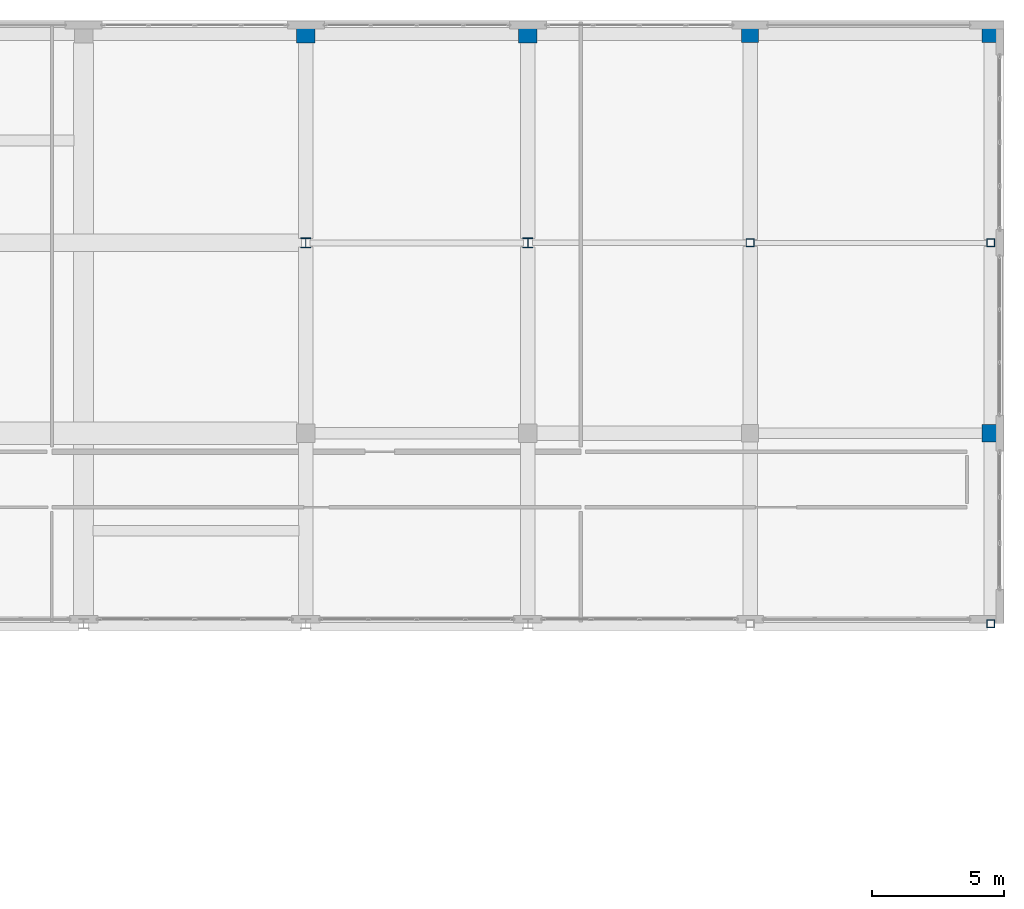
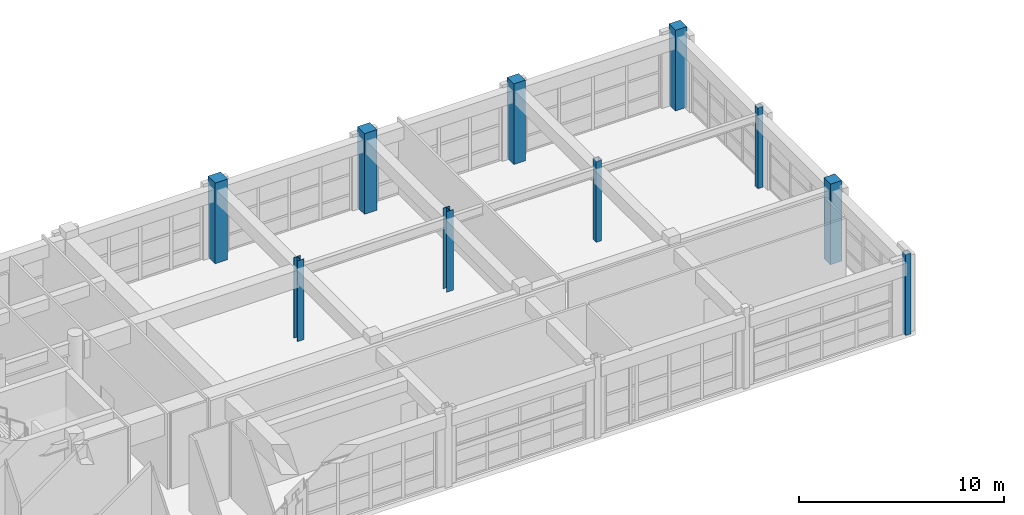
# One storey, part 14 of 123: 10 columns.
"""IFC4 building model written with IfcOpenShell, lengths in metres."""

from ifc_helpers import new_model, si_unit, direction, frame, origin, origin_2d, place, context, subcontext, project, spatial, rectangle, hollow_rectangle, i_section, extrude, material, material_profile, profile_set, type_object, element, save


model = new_model("IFC4")

# Units and contexts
model_context = context("Model", 3, precision=1e-05, world=origin(), true_north=direction((0.0, 1.0)))
body_context = subcontext(model_context, "Body", "Model", "MODEL_VIEW")
ifc_project = project(units=[si_unit("LENGTHUNIT", "METRE"), si_unit("AREAUNIT", "SQUARE_METRE"), si_unit("VOLUMEUNIT", "CUBIC_METRE"), si_unit("PLANEANGLEUNIT", "RADIAN"), si_unit("MASSUNIT", "GRAM", prefix="KILO")], contexts=[model_context])

# Site, building, storey
site_placement = place(None, origin())
site = spatial("IfcSite", under=ifc_project, at=site_placement, CompositionType="ELEMENT")
building_placement = place(site_placement, origin())
building = spatial("IfcBuilding", under=site, at=building_placement, Name="Quendrovan Civic Courthouse", CompositionType="ELEMENT")
storey_placement = place(building_placement, frame((0.0, 0.0, 5.39990234375)))
storey = spatial("IfcBuildingStorey", under=building, at=storey_placement, Name="L02", CompositionType="ELEMENT", Elevation=5.39990234375)

# Columns
ifc_material_1 = material(Name="Concrete C45/55", Category="concrete")
ifc_material_profile_1 = material_profile(ifc_material_1, rectangle(XDim=0.64990234375, YDim=0.64990234375, at=origin_2d()), Name="RC-COL-650x650")
ifc_profile_set_1 = profile_set([ifc_material_profile_1], Name="Concrete C45/55")
column_type_1 = type_object("IfcColumnType", Name="COL-RC650", PredefinedType="COLUMN", material=ifc_profile_set_1)
for number, where, z_axis, x_axis, name in (
    (1, (151.199951171875, 109.89990234375, 0.0), (0.0, 0.0, 1.0), (1.0, 0.0, 0.0), "L02 Column 19-Q"),
    (2, (160.300048828125, 94.800048828125, 0.0), (0.0, 0.0, 1.0), (1.0, 0.0, 0.0), "L02 Column 20-N"),
    (3, (160.300048828125, 109.89990234375, 0.0), (0.0, 0.0, 1.0), (1.0, 0.0, 0.0), "L02 Column 20-Q"),
):
    element("IfcColumn", number, at=place(storey_placement, frame(where, z_axis=z_axis, x_axis=x_axis)), inside=storey, type_object=column_type_1, Name=name, PredefinedType="COLUMN", context=body_context, shape_type="SweptSolid", body=[
        extrude(rectangle(XDim=0.64990234375, YDim=0.64990234375, at=origin_2d()), origin(), (0.0, 0.0, 1.0), 4.800048828125),
    ])
ifc_material_profile_2 = material_profile(ifc_material_1, rectangle(XDim=0.699951171875, YDim=0.699951171875, at=origin_2d()), Name="RC-COL-700x700")
ifc_profile_set_2 = profile_set([ifc_material_profile_2], Name="Concrete C45/55")
column_type_2 = type_object("IfcColumnType", Name="COL-RC700", PredefinedType="COLUMN", material=ifc_profile_set_2)
for number, where, z_axis, x_axis, name in (
    (4, (134.39990234375, 109.89990234375, 0.0), (0.0, 0.0, 1.0), (1.0, 0.0, 0.0), "L02 Column 17-Q"),
    (5, (142.800048828125, 109.89990234375, 0.0), (0.0, 0.0, 1.0), (1.0, 0.0, 0.0), "L02 Column 18-Q"),
):
    element("IfcColumn", number, at=place(storey_placement, frame(where, z_axis=z_axis, x_axis=x_axis)), inside=storey, type_object=column_type_2, Name=name, PredefinedType="COLUMN", context=body_context, shape_type="SweptSolid", body=[
        extrude(rectangle(XDim=0.699951171875, YDim=0.699951171875, at=origin_2d()), origin(), (0.0, 0.0, 1.0), 4.800048828125),
    ])
ifc_material_2 = material(Name="Steel ASTM A500 Grade C", Category="steel")
ifc_material_profile_3 = material_profile(ifc_material_2, hollow_rectangle(XDim=0.300048828125, YDim=0.300048828125, WallThickness=0.011962890625, at=origin_2d()), Name="HSS300x300x12")
ifc_profile_set_3 = profile_set([ifc_material_profile_3], Name="Steel ASTM A500 Grade C")
column_type_3 = type_object("IfcColumnType", Name="COL-STL-HSS300S", PredefinedType="COLUMN", material=ifc_profile_set_3)
for number, where, z_axis, x_axis, name in (
    (6, (151.199951171875, 102.0, 0.0), (0.0, 0.0, 1.0), (1.0, 0.0, 0.0), "L02 Column 19-P"),
    (7, (160.300048828125, 87.60009765625, 0.0), (0.0, 0.0, 1.0), (1.0, 0.0, 0.0), "L02 Column 20-M"),
    (8, (160.300048828125, 102.0, 0.0), (0.0, 0.0, 1.0), (1.0, 0.0, 0.0), "L02 Column 20-P"),
):
    element("IfcColumn", number, at=place(storey_placement, frame(where, z_axis=z_axis, x_axis=x_axis)), inside=storey, type_object=column_type_3, Name=name, PredefinedType="COLUMN", context=body_context, shape_type="SweptSolid", body=[
        extrude(hollow_rectangle(XDim=0.300048828125, YDim=0.300048828125, WallThickness=0.011962890625, at=origin_2d()), origin(), (0.0, 0.0, 1.0), 4.800048828125),
    ])
ifc_material_3 = material(Name="Steel ASTM A992 Grade 50", Category="steel")
ifc_material_profile_4 = material_profile(ifc_material_3, i_section(OverallWidth=0.3740234375, OverallDepth=0.3720703125, WebThickness=0.016357421875, FlangeThickness=0.026123046875, at=origin_2d()), Name="W14X132")
ifc_profile_set_4 = profile_set([ifc_material_profile_4], Name="Steel ASTM A992 Grade 50")
column_type_4 = type_object("IfcColumnType", Name="COL-STL-W14X132", PredefinedType="COLUMN", material=ifc_profile_set_4)
for number, where, z_axis, x_axis, name in (
    (9, (134.39990234375, 102.0, 0.0), (0.0, 0.0, 1.0), (1.0, 0.0, 0.0), "L02 Column 17-P"),
    (10, (142.800048828125, 102.0, 0.0), (0.0, 0.0, 1.0), (1.0, 0.0, 0.0), "L02 Column 18-P"),
):
    element("IfcColumn", number, at=place(storey_placement, frame(where, z_axis=z_axis, x_axis=x_axis)), inside=storey, type_object=column_type_4, Name=name, PredefinedType="COLUMN", context=body_context, shape_type="SweptSolid", body=[
        extrude(i_section(OverallWidth=0.3740234375, OverallDepth=0.3720703125, WebThickness=0.016357421875, FlangeThickness=0.026123046875, at=origin_2d()), origin(), (0.0, 0.0, 1.0), 4.800048828125),
    ])

save(model, "model.ifc")
